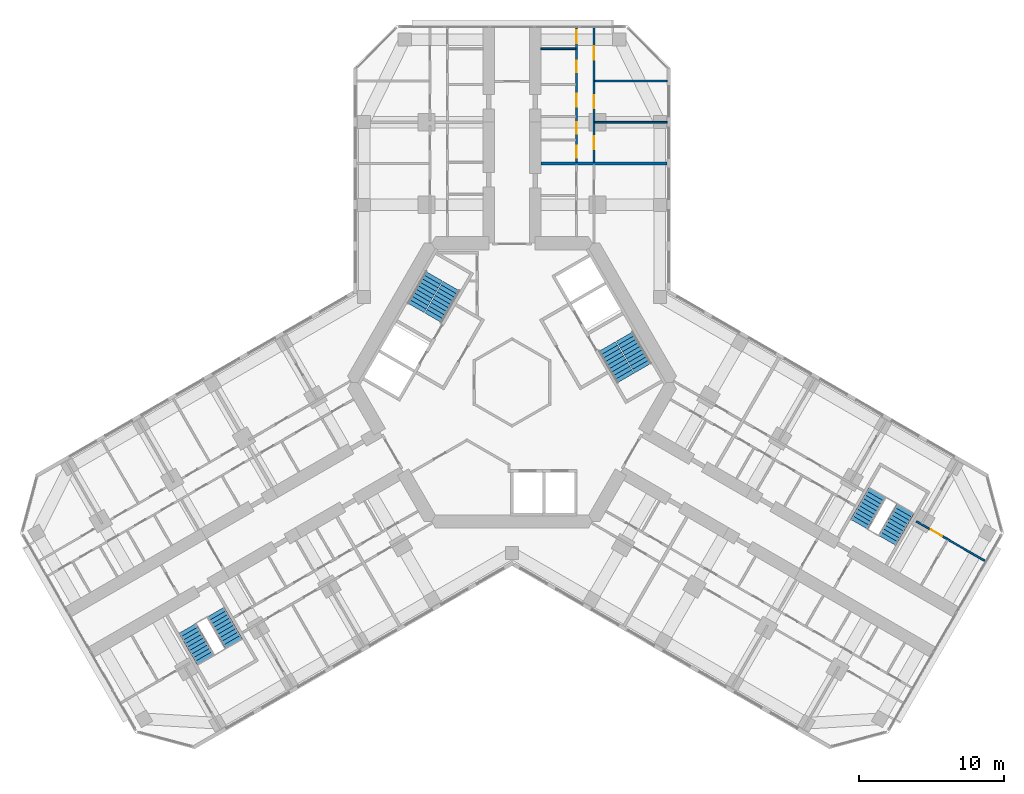
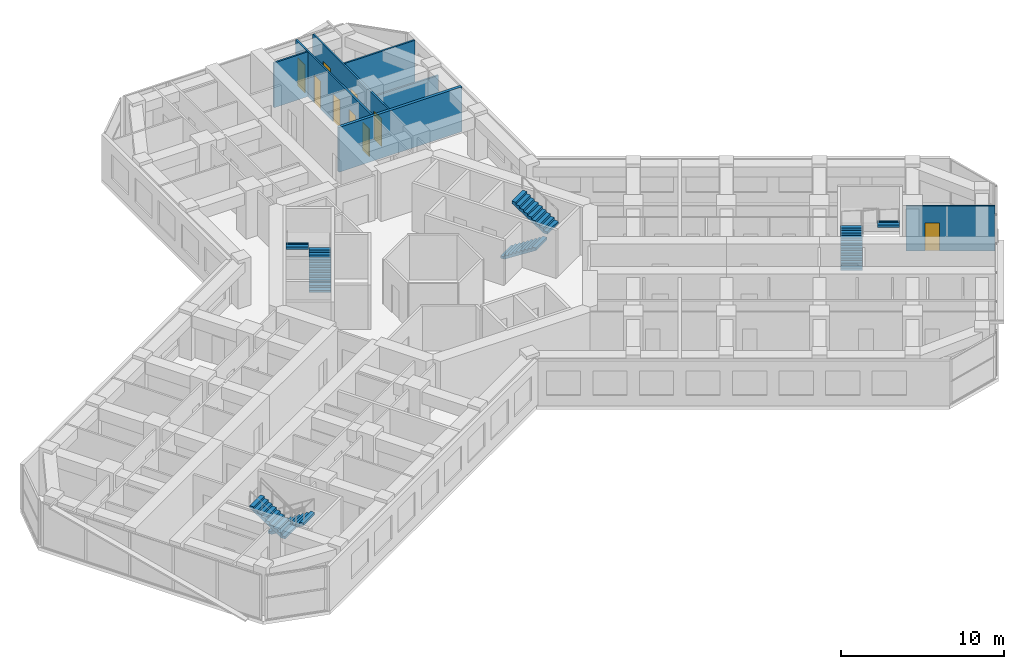
# One storey, part 18 of 19: 9 doors, 8 stair flights, 7 walls, 9 openings, 4 elements without a shape of their own.
"""IFC4 building model written with IfcOpenShell, lengths in metres."""

from ifc_helpers import new_model, si_unit, direction, frame, frame_2d, origin, place, context, subcontext, project, spatial, polyline, rectangle, outline, extrude, material, layer, layer_set, type_object, element, fill, aggregate, save


model = new_model("IFC4")

# Units and contexts
model_context = context("Model", 3, precision=1e-05, world=origin(), true_north=direction((0.0, 1.0)))
body_context = subcontext(model_context, "Body", "Model", "MODEL_VIEW")
ifc_project = project(units=[si_unit("LENGTHUNIT", "METRE"), si_unit("AREAUNIT", "SQUARE_METRE"), si_unit("VOLUMEUNIT", "CUBIC_METRE"), si_unit("PLANEANGLEUNIT", "RADIAN"), si_unit("MASSUNIT", "GRAM", prefix="KILO")], contexts=[model_context])

# Site, building, storey
site_placement = place(None, origin())
site = spatial("IfcSite", under=ifc_project, at=site_placement, CompositionType="ELEMENT")
building_placement = place(site_placement, origin())
building = spatial("IfcBuilding", under=site, at=building_placement, Name="Kosmar Iwan School Tower", CompositionType="ELEMENT")
storey_placement = place(building_placement, frame((0.0, 0.0, 141.800048828125)))
storey = spatial("IfcBuildingStorey", under=building, at=storey_placement, Name="L35", CompositionType="ELEMENT", Elevation=141.800048828125)

# Wall, openings, doors
ifc_material_1 = material(Name="Gypsum board on steel studs", Category="steel")
ifc_layer_1 = layer(ifc_material_1, 0.1201171875)
ifc_layer_set_1 = layer_set([ifc_layer_1], Name="Dwelling partition 120")
wall_type_1 = type_object("IfcWallType", Name="Dwelling partition 120", PredefinedType="PARTITIONING", material=ifc_layer_set_1)
wall_1_placement = place(storey_placement, frame((4.449951171875, 15.199951171875, 0.0), z_axis=(0.0, 0.0, 1.0), x_axis=(0.0, 1.0, 0.0)))
wall_1 = element("IfcWall", 1, at=wall_1_placement, inside=storey, type_object=wall_type_1, Name="Partition L35-AR2-W1", PredefinedType="PARTITIONING", context=body_context, shape_type="SweptSolid", body=[
    extrude(rectangle(XDim=9.2451171875, YDim=0.1201171875, at=frame_2d((4.62255859375, 0.0))), origin(), (0.0, 0.0, 1.0), 3.349853515625),
])
opening_1_placement = place(wall_1_placement, frame((0.3125, 0.0, 0.0)))
opening_1 = element("IfcOpeningElement", 2, at=opening_1_placement, cuts=wall_1, Name="Opening D3", PredefinedType="OPENING", context=body_context, shape_type="SweptSolid", body=[
    extrude(rectangle(XDim=0.800048828125, YDim=2.10009765625, at=frame_2d((0.39990234375, 1.050048828125))), frame((0.0, 0.072021484375, 0.0), z_axis=(0.0, -1.0, 0.0), x_axis=(1.0, 0.0, 0.0)), (0.0, 0.0, 1.0), 0.14404296875),
])
opening_2_placement = place(wall_1_placement, frame((1.9375, 0.0, 0.0)))
opening_2 = element("IfcOpeningElement", 3, at=opening_2_placement, cuts=wall_1, Name="Opening D3", PredefinedType="OPENING", context=body_context, shape_type="SweptSolid", body=[
    extrude(rectangle(XDim=0.800048828125, YDim=2.10009765625, at=frame_2d((0.39990234375, 1.050048828125))), frame((0.0, 0.072021484375, 0.0), z_axis=(0.0, -1.0, 0.0), x_axis=(1.0, 0.0, 0.0)), (0.0, 0.0, 1.0), 0.14404296875),
])
opening_3_placement = place(wall_1_placement, frame((3.800048828125, 0.0, 0.0)))
opening_3 = element("IfcOpeningElement", 4, at=opening_3_placement, cuts=wall_1, Name="Opening D2", PredefinedType="OPENING", context=body_context, shape_type="SweptSolid", body=[
    extrude(rectangle(XDim=0.89990234375, YDim=2.10009765625, at=frame_2d((0.449951171875, 1.050048828125))), frame((0.0, 0.072021484375, 0.0), z_axis=(0.0, -1.0, 0.0), x_axis=(1.0, 0.0, 0.0)), (0.0, 0.0, 1.0), 0.14404296875),
])
opening_4_placement = place(wall_1_placement, frame((6.179931640625, 0.0, 0.0)))
opening_4 = element("IfcOpeningElement", 5, at=opening_4_placement, cuts=wall_1, Name="Opening D3", PredefinedType="OPENING", context=body_context, shape_type="SweptSolid", body=[
    extrude(rectangle(XDim=0.800048828125, YDim=2.10009765625, at=frame_2d((0.39990234375, 1.050048828125))), frame((0.0, 0.072021484375, 0.0), z_axis=(0.0, -1.0, 0.0), x_axis=(1.0, 0.0, 0.0)), (0.0, 0.0, 1.0), 0.14404296875),
])
opening_5_placement = place(wall_1_placement, frame((8.179931640625, 0.0, 0.0)))
opening_5 = element("IfcOpeningElement", 6, at=opening_5_placement, cuts=wall_1, Name="Opening D2", PredefinedType="OPENING", context=body_context, shape_type="SweptSolid", body=[
    extrude(rectangle(XDim=0.89990234375, YDim=2.10009765625, at=frame_2d((0.449951171875, 1.050048828125))), frame((0.0, 0.072021484375, 0.0), z_axis=(0.0, -1.0, 0.0), x_axis=(1.0, 0.0, 0.0)), (0.0, 0.0, 1.0), 0.14404296875),
])
ifc_material_2 = material(Name="Timber door in timber frame", Category="wood")
door_type_1 = type_object("IfcDoorType", Name="Internal door 900x2100", OperationType="SINGLE_SWING_LEFT", PredefinedType="DOOR", material=ifc_material_2)
door_1_placement = place(opening_3_placement, origin())
door_1 = element("IfcDoor", 7, at=door_1_placement, inside=storey, type_object=door_type_1, Name="Entrance hall door L35-AR2-S3", OperationType="SINGLE_SWING_RIGHT", OverallHeight=2.10009765625, OverallWidth=0.89990234375, PredefinedType="DOOR", context=body_context, shape_type="SweptSolid", body=[
    extrude(rectangle(XDim=0.89990234375, YDim=2.10009765625, at=frame_2d((0.449951171875, 1.050048828125))), frame((0.0, 0.02490234375, 0.0), z_axis=(0.0, -1.0, 0.0), x_axis=(1.0, 0.0, 0.0)), (0.0, 0.0, 1.0), 0.050048828125),
])
fill(opening_3, door_1)
door_2_placement = place(opening_5_placement, origin())
door_2 = element("IfcDoor", 8, at=door_2_placement, inside=storey, type_object=door_type_1, Name="Pantry door L35-AR2-S5", OperationType="SINGLE_SWING_RIGHT", OverallHeight=2.10009765625, OverallWidth=0.89990234375, PredefinedType="DOOR", context=body_context, shape_type="SweptSolid", body=[
    extrude(rectangle(XDim=0.89990234375, YDim=2.10009765625, at=frame_2d((0.449951171875, 1.050048828125))), frame((0.0, 0.02490234375, 0.0), z_axis=(0.0, -1.0, 0.0), x_axis=(1.0, 0.0, 0.0)), (0.0, 0.0, 1.0), 0.050048828125),
])
fill(opening_5, door_2)
ifc_material_3 = material(Name="Timber door in timber frame", Category="wood")
door_type_2 = type_object("IfcDoorType", Name="Sanitary room door 800x2100", OperationType="SINGLE_SWING_LEFT", PredefinedType="DOOR", material=ifc_material_3)
door_3_placement = place(opening_1_placement, origin())
door_3 = element("IfcDoor", 9, at=door_3_placement, inside=storey, type_object=door_type_2, Name="WC door L35-AR2-S1", OperationType="SINGLE_SWING_RIGHT", OverallHeight=2.10009765625, OverallWidth=0.800048828125, PredefinedType="DOOR", context=body_context, shape_type="SweptSolid", body=[
    extrude(rectangle(XDim=0.800048828125, YDim=2.10009765625, at=frame_2d((0.39990234375, 1.050048828125))), frame((0.0, 0.02490234375, 0.0), z_axis=(0.0, -1.0, 0.0), x_axis=(1.0, 0.0, 0.0)), (0.0, 0.0, 1.0), 0.050048828125),
])
fill(opening_1, door_3)
door_4_placement = place(opening_2_placement, origin())
door_4 = element("IfcDoor", 10, at=door_4_placement, inside=storey, type_object=door_type_2, Name="Shower room door L35-AR2-S2", OperationType="SINGLE_SWING_LEFT", OverallHeight=2.10009765625, OverallWidth=0.800048828125, PredefinedType="DOOR", context=body_context, shape_type="SweptSolid", body=[
    extrude(rectangle(XDim=0.800048828125, YDim=2.10009765625, at=frame_2d((0.39990234375, 1.050048828125))), frame((0.0, 0.02490234375, 0.0), z_axis=(0.0, -1.0, 0.0), x_axis=(1.0, 0.0, 0.0)), (0.0, 0.0, 1.0), 0.050048828125),
])
fill(opening_2, door_4)
door_5_placement = place(opening_4_placement, origin())
door_5 = element("IfcDoor", 11, at=door_5_placement, inside=storey, type_object=door_type_2, Name="Bathroom door L35-AR2-S4", OperationType="SINGLE_SWING_LEFT", OverallHeight=2.10009765625, OverallWidth=0.800048828125, PredefinedType="DOOR", context=body_context, shape_type="SweptSolid", body=[
    extrude(rectangle(XDim=0.800048828125, YDim=2.10009765625, at=frame_2d((0.39990234375, 1.050048828125))), frame((0.0, 0.02490234375, 0.0), z_axis=(0.0, -1.0, 0.0), x_axis=(1.0, 0.0, 0.0)), (0.0, 0.0, 1.0), 0.050048828125),
])
fill(opening_4, door_5)

wall_2_placement = place(storey_placement, frame((5.64990234375, 15.199951171875, 0.0), z_axis=(0.0, 0.0, 1.0), x_axis=(0.0, 1.0, 0.0)))
wall_2 = element("IfcWall", 12, at=wall_2_placement, inside=storey, type_object=wall_type_1, Name="Partition L35-AR2-W2", PredefinedType="PARTITIONING", context=body_context, shape_type="SweptSolid", body=[
    extrude(rectangle(XDim=9.2451171875, YDim=0.1201171875, at=frame_2d((4.62255859375, 0.0))), origin(), (0.0, 0.0, 1.0), 3.349853515625),
])
opening_6_placement = place(wall_2_placement, frame((0.875, 0.0, 0.0)))
opening_6 = element("IfcOpeningElement", 13, at=opening_6_placement, cuts=wall_2, Name="Opening D2", PredefinedType="OPENING", context=body_context, shape_type="SweptSolid", body=[
    extrude(rectangle(XDim=0.89990234375, YDim=2.10009765625, at=frame_2d((0.449951171875, 1.050048828125))), frame((0.0, 0.072021484375, 0.0), z_axis=(0.0, -1.0, 0.0), x_axis=(1.0, 0.0, 0.0)), (0.0, 0.0, 1.0), 0.14404296875),
])
opening_7_placement = place(wall_2_placement, frame((3.72509765625, 0.0, 0.0)))
opening_7 = element("IfcOpeningElement", 14, at=opening_7_placement, cuts=wall_2, Name="Opening D2", PredefinedType="OPENING", context=body_context, shape_type="SweptSolid", body=[
    extrude(rectangle(XDim=0.89990234375, YDim=2.10009765625, at=frame_2d((0.449951171875, 1.050048828125))), frame((0.0, 0.072021484375, 0.0), z_axis=(0.0, -1.0, 0.0), x_axis=(1.0, 0.0, 0.0)), (0.0, 0.0, 1.0), 0.14404296875),
])
opening_8_placement = place(wall_2_placement, frame((7.074951171875, 0.0, 0.0)))
opening_8 = element("IfcOpeningElement", 15, at=opening_8_placement, cuts=wall_2, Name="Opening D2", PredefinedType="OPENING", context=body_context, shape_type="SweptSolid", body=[
    extrude(rectangle(XDim=0.89990234375, YDim=2.10009765625, at=frame_2d((0.449951171875, 1.050048828125))), frame((0.0, 0.072021484375, 0.0), z_axis=(0.0, -1.0, 0.0), x_axis=(1.0, 0.0, 0.0)), (0.0, 0.0, 1.0), 0.14404296875),
])
door_6_placement = place(opening_6_placement, origin())
door_6 = element("IfcDoor", 16, at=door_6_placement, inside=storey, type_object=door_type_1, Name="Family room and kitchen door L35-AR2-F1", OperationType="SINGLE_SWING_LEFT", OverallHeight=2.10009765625, OverallWidth=0.89990234375, PredefinedType="DOOR", context=body_context, shape_type="SweptSolid", body=[
    extrude(rectangle(XDim=0.89990234375, YDim=2.10009765625, at=frame_2d((0.449951171875, 1.050048828125))), frame((0.0, 0.02490234375, 0.0), z_axis=(0.0, -1.0, 0.0), x_axis=(1.0, 0.0, 0.0)), (0.0, 0.0, 1.0), 0.050048828125),
])
fill(opening_6, door_6)
door_7_placement = place(opening_7_placement, origin())
door_7 = element("IfcDoor", 17, at=door_7_placement, inside=storey, type_object=door_type_1, Name="Bedroom 1 door L35-AR2-F2", OperationType="SINGLE_SWING_LEFT", OverallHeight=2.10009765625, OverallWidth=0.89990234375, PredefinedType="DOOR", context=body_context, shape_type="SweptSolid", body=[
    extrude(rectangle(XDim=0.89990234375, YDim=2.10009765625, at=frame_2d((0.449951171875, 1.050048828125))), frame((0.0, 0.02490234375, 0.0), z_axis=(0.0, -1.0, 0.0), x_axis=(1.0, 0.0, 0.0)), (0.0, 0.0, 1.0), 0.050048828125),
])
fill(opening_7, door_7)
door_8_placement = place(opening_8_placement, origin())
door_8 = element("IfcDoor", 18, at=door_8_placement, inside=storey, type_object=door_type_1, Name="Bedroom 2 door L35-AR2-F3", OperationType="SINGLE_SWING_RIGHT", OverallHeight=2.10009765625, OverallWidth=0.89990234375, PredefinedType="DOOR", context=body_context, shape_type="SweptSolid", body=[
    extrude(rectangle(XDim=0.89990234375, YDim=2.10009765625, at=frame_2d((0.449951171875, 1.050048828125))), frame((0.0, 0.02490234375, 0.0), z_axis=(0.0, -1.0, 0.0), x_axis=(1.0, 0.0, 0.0)), (0.0, 0.0, 1.0), 0.050048828125),
])
fill(opening_8, door_8)

# Walls
wall_3_placement = place(storey_placement, frame((5.7099609375, 17.949951171875, 0.0), z_axis=(0.0, 0.0, 1.0), x_axis=(1.0, 0.0, 0.0)))
element("IfcWall", 19, at=wall_3_placement, inside=storey, type_object=wall_type_1, Name="Partition L35-AR2-X1", PredefinedType="PARTITIONING", context=body_context, shape_type="SweptSolid", body=[
    extrude(rectangle(XDim=4.989990234375, YDim=0.1201171875, at=frame_2d((2.4951171875, 0.0))), origin(), (0.0, 0.0, 1.0), 2.449951171875),
])
wall_4_placement = place(storey_placement, frame((5.7099609375, 20.800048828125, 0.0), z_axis=(0.0, 0.0, 1.0), x_axis=(1.0, 0.0, 0.0)))
element("IfcWall", 20, at=wall_4_placement, inside=storey, type_object=wall_type_1, Name="Partition L35-AR2-X2", PredefinedType="PARTITIONING", context=body_context, shape_type="SweptSolid", body=[
    extrude(rectangle(XDim=4.989990234375, YDim=0.1201171875, at=frame_2d((2.4951171875, 0.0))), origin(), (0.0, 0.0, 1.0), 3.349853515625),
])
wall_5_placement = place(storey_placement, frame((2.0, 23.010009765625, 0.0), z_axis=(0.0, 0.0, 1.0), x_axis=(1.0, 0.0, 0.0)))
element("IfcWall", 21, at=wall_5_placement, inside=storey, type_object=wall_type_1, Name="Partition L35-AR2-Y4", PredefinedType="PARTITIONING", context=body_context, shape_type="SweptSolid", body=[
    extrude(rectangle(XDim=2.389892578125, YDim=0.1201171875, at=frame_2d((1.19482421875, 0.0))), origin(), (0.0, 0.0, 1.0), 3.349853515625),
])

# Wall, opening, door
wall_6_placement = place(storey_placement, frame((27.896484375, -9.58203125, 0.0), z_axis=(0.0, 0.0, 1.0), x_axis=(0.866035508231, -0.499982498177, 0.0)))
wall_6 = element("IfcWall", 22, at=wall_6_placement, inside=storey, type_object=wall_type_1, Name="Partition L35-CL2-TW", PredefinedType="PARTITIONING", context=body_context, shape_type="SweptSolid", body=[
    extrude(rectangle(XDim=5.445068359375, YDim=0.1201171875, at=frame_2d((2.72265625, 0.0))), origin(), (0.0, 0.0, 1.0), 3.349853515625),
])
opening_9_placement = place(wall_6_placement, frame((1.14990234375, 0.0, 0.0)))
opening_9 = element("IfcOpeningElement", 23, at=opening_9_placement, cuts=wall_6, Name="Opening D2", PredefinedType="OPENING", context=body_context, shape_type="SweptSolid", body=[
    extrude(rectangle(XDim=0.89990234375, YDim=2.10009765625, at=frame_2d((0.449951171875, 1.050048828125))), frame((0.0, 0.072021484375, 0.0), z_axis=(0.0, -1.0, 0.0), x_axis=(1.0, 0.0, 0.0)), (0.0, 0.0, 1.0), 0.14404296875),
])
door_9_placement = place(opening_9_placement, origin())
door_9 = element("IfcDoor", 24, at=door_9_placement, inside=storey, type_object=door_type_1, Name="Dressing room door L35-CL2-T3", OperationType="SINGLE_SWING_LEFT", OverallHeight=2.10009765625, OverallWidth=0.89990234375, PredefinedType="DOOR", context=body_context, shape_type="SweptSolid", body=[
    extrude(rectangle(XDim=0.89990234375, YDim=2.10009765625, at=frame_2d((0.449951171875, 1.050048828125))), frame((0.0, 0.02490234375, 0.0), z_axis=(0.0, -1.0, 0.0), x_axis=(1.0, 0.0, 0.0)), (0.0, 0.0, 1.0), 0.050048828125),
])
fill(opening_9, door_9)

# Wall
ifc_material_4 = material(Name="Concrete block masonry", Category="masonry")
ifc_layer_2 = layer(ifc_material_4, 0.199951171875)
ifc_layer_set_2 = layer_set([ifc_layer_2], Name="Party wall 200")
wall_type_2 = type_object("IfcWallType", Name="Party wall 200", PredefinedType="PARTITIONING", material=ifc_layer_set_2)
wall_7_placement = place(storey_placement, frame((2.0, 15.10009765625, 0.0), z_axis=(0.0, 0.0, 1.0), x_axis=(1.0, 0.0, 0.0)))
element("IfcWall", 25, at=wall_7_placement, inside=storey, type_object=wall_type_2, Name="Partition L35-AR2-PW", PredefinedType="PARTITIONING", context=body_context, shape_type="SweptSolid", body=[
    extrude(rectangle(XDim=8.699951171875, YDim=0.199951171875, at=frame_2d((4.35009765625, 0.0))), origin(), (0.0, 0.0, 1.0), 3.349853515625),
])

# Stair, stair flights
ifc_material_5 = material(Name="Concrete C35/45", Category="concrete")
stair_type_1 = type_object("IfcStairType", Name="Escape stair 3600", PredefinedType="HALF_TURN_STAIR", material=ifc_material_5)
stair_1_placement = place(storey_placement, origin())
stair_1 = element("IfcStair", 26, at=stair_1_placement, inside=storey, type_object=stair_type_1, Name="Stair WS2 L35", PredefinedType="HALF_TURN_STAIR")
ifc_material_6 = material(Name="Concrete C35/45", Category="concrete")
stair_flight_type_1 = type_object("IfcStairFlightType", Name="Escape stair flight 1350", PredefinedType="STRAIGHT", material=ifc_material_6)
stair_flight_1_placement = place(storey_placement, frame((-20.44189453125, -15.843505859375, 0.0), z_axis=(0.0, 0.0, 1.0), x_axis=(0.5, -0.866025403784, 0.0)))
stair_flight_1 = element("IfcStairFlight", 27, at=stair_flight_1_placement, type_object=stair_flight_type_1, Name="WS2 flight 1", NumberOfRisers=10, NumberOfTreads=9, PredefinedType="STRAIGHT", RiserHeight=0.18, TreadLength=0.28, context=body_context, shape_type="SweptSolid", body=[
    extrude(outline(polyline([(0.0, 0.0), (0.0, 0.179931640625), (0.280029296875, 0.179931640625), (0.280029296875, 0.360107421875), (0.56005859375, 0.360107421875), (0.56005859375, 0.5400390625), (0.840087890625, 0.5400390625), (0.840087890625, 0.719970703125), (1.1201171875, 0.719970703125), (1.1201171875, 0.89990234375), (1.39990234375, 0.89990234375), (1.39990234375, 1.080078125), (1.679931640625, 1.080078125), (1.679931640625, 1.260009765625), (1.9599609375, 1.260009765625), (1.9599609375, 1.43994140625), (2.239990234375, 1.43994140625), (2.239990234375, 1.6201171875), (2.52001953125, 1.6201171875), (2.52001953125, 1.800048828125), (2.52001953125, 1.44189453125), (0.277099609375, 0.0), (0.0, 0.0)])), frame((0.0, 0.675048828125, 0.0), z_axis=(0.0, -1.0, 0.0), x_axis=(1.0, 0.0, 0.0)), (0.0, 0.0, 1.0), 1.35009765625),
])
stair_flight_2_placement = place(storey_placement, frame((-21.13037109375, -19.15087890625, 1.800048828125), z_axis=(0.0, 0.0, 1.0), x_axis=(-0.5, 0.866025403784, 0.0)))
stair_flight_2 = element("IfcStairFlight", 28, at=stair_flight_2_placement, type_object=stair_flight_type_1, Name="WS2 flight 2", NumberOfRisers=10, NumberOfTreads=9, PredefinedType="STRAIGHT", RiserHeight=0.18, TreadLength=0.28, context=body_context, shape_type="SweptSolid", body=[
    extrude(outline(polyline([(0.0, 0.0), (0.0, 0.179931640625), (0.280029296875, 0.179931640625), (0.280029296875, 0.360107421875), (0.56005859375, 0.360107421875), (0.56005859375, 0.5400390625), (0.840087890625, 0.5400390625), (0.840087890625, 0.719970703125), (1.1201171875, 0.719970703125), (1.1201171875, 0.89990234375), (1.39990234375, 0.89990234375), (1.39990234375, 1.080078125), (1.679931640625, 1.080078125), (1.679931640625, 1.260009765625), (1.9599609375, 1.260009765625), (1.9599609375, 1.43994140625), (2.239990234375, 1.43994140625), (2.239990234375, 1.6201171875), (2.52001953125, 1.6201171875), (2.52001953125, 1.800048828125), (2.52001953125, 1.44189453125), (0.277099609375, 0.0), (0.0, 0.0)])), frame((0.0, 0.675048828125, 0.0), z_axis=(0.0, -1.0, 0.0), x_axis=(1.0, 0.0, 0.0)), (0.0, 0.0, 1.0), 1.35009765625),
])
aggregate(stair_1, [stair_flight_1, stair_flight_2])

stair_2_placement = place(storey_placement, origin())
stair_2 = element("IfcStair", 29, at=stair_2_placement, inside=storey, type_object=stair_type_1, Name="Stair WS3 L35", PredefinedType="HALF_TURN_STAIR")
stair_flight_3_placement = place(storey_placement, frame((23.94189453125, -9.781494140625, 0.0), z_axis=(0.0, 0.0, 1.0), x_axis=(0.5, 0.866025403784, 0.0)))
stair_flight_3 = element("IfcStairFlight", 30, at=stair_flight_3_placement, type_object=stair_flight_type_1, Name="WS3 flight 1", NumberOfRisers=10, NumberOfTreads=9, PredefinedType="STRAIGHT", RiserHeight=0.18, TreadLength=0.28, context=body_context, shape_type="SweptSolid", body=[
    extrude(outline(polyline([(0.0, 0.0), (0.0, 0.179931640625), (0.280029296875, 0.179931640625), (0.280029296875, 0.360107421875), (0.56005859375, 0.360107421875), (0.56005859375, 0.5400390625), (0.840087890625, 0.5400390625), (0.840087890625, 0.719970703125), (1.1201171875, 0.719970703125), (1.1201171875, 0.89990234375), (1.39990234375, 0.89990234375), (1.39990234375, 1.080078125), (1.679931640625, 1.080078125), (1.679931640625, 1.260009765625), (1.9599609375, 1.260009765625), (1.9599609375, 1.43994140625), (2.239990234375, 1.43994140625), (2.239990234375, 1.6201171875), (2.52001953125, 1.6201171875), (2.52001953125, 1.800048828125), (2.52001953125, 1.44189453125), (0.277099609375, 0.0), (0.0, 0.0)])), frame((0.0, 0.675048828125, 0.0), z_axis=(0.0, -1.0, 0.0), x_axis=(1.0, 0.0, 0.0)), (0.0, 0.0, 1.0), 1.35009765625),
])
stair_flight_4_placement = place(storey_placement, frame((27.150390625, -8.72412109375, 1.800048828125), z_axis=(0.0, 0.0, 1.0), x_axis=(-0.5, -0.866025403784, 0.0)))
stair_flight_4 = element("IfcStairFlight", 31, at=stair_flight_4_placement, type_object=stair_flight_type_1, Name="WS3 flight 2", NumberOfRisers=10, NumberOfTreads=9, PredefinedType="STRAIGHT", RiserHeight=0.18, TreadLength=0.28, context=body_context, shape_type="SweptSolid", body=[
    extrude(outline(polyline([(0.0, 0.0), (0.0, 0.179931640625), (0.280029296875, 0.179931640625), (0.280029296875, 0.360107421875), (0.56005859375, 0.360107421875), (0.56005859375, 0.5400390625), (0.840087890625, 0.5400390625), (0.840087890625, 0.719970703125), (1.1201171875, 0.719970703125), (1.1201171875, 0.89990234375), (1.39990234375, 0.89990234375), (1.39990234375, 1.080078125), (1.679931640625, 1.080078125), (1.679931640625, 1.260009765625), (1.9599609375, 1.260009765625), (1.9599609375, 1.43994140625), (2.239990234375, 1.43994140625), (2.239990234375, 1.6201171875), (2.52001953125, 1.6201171875), (2.52001953125, 1.800048828125), (2.52001953125, 1.44189453125), (0.277099609375, 0.0), (0.0, 0.0)])), frame((0.0, 0.675048828125, 0.0), z_axis=(0.0, -1.0, 0.0), x_axis=(1.0, 0.0, 0.0)), (0.0, 0.0, 1.0), 1.35009765625),
])
aggregate(stair_2, [stair_flight_3, stair_flight_4])

ifc_material_7 = material(Name="Concrete C35/45", Category="concrete")
stair_type_2 = type_object("IfcStairType", Name="Core stair 2750", PredefinedType="HALF_TURN_STAIR", material=ifc_material_7)
stair_3_placement = place(storey_placement, origin())
stair_3 = element("IfcStair", 32, at=stair_3_placement, inside=storey, type_object=stair_type_2, Name="Stair ST2 L35", PredefinedType="HALF_TURN_STAIR")
ifc_material_8 = material(Name="Concrete C35/45", Category="concrete")
stair_flight_type_2 = type_object("IfcStairFlightType", Name="Stair flight 1350", PredefinedType="STRAIGHT", material=ifc_material_8)
stair_flight_5_placement = place(storey_placement, frame((-5.42724609375, 4.44970703125, 0.0), z_axis=(0.0, 0.0, 1.0), x_axis=(0.5, 0.866025403784, 0.0)))
stair_flight_5 = element("IfcStairFlight", 33, at=stair_flight_5_placement, type_object=stair_flight_type_2, Name="ST2 flight 1", NumberOfRisers=10, NumberOfTreads=9, PredefinedType="STRAIGHT", RiserHeight=0.18, TreadLength=0.28, context=body_context, shape_type="SweptSolid", body=[
    extrude(outline(polyline([(0.0, 0.0), (0.0, 0.179931640625), (0.280029296875, 0.179931640625), (0.280029296875, 0.360107421875), (0.56005859375, 0.360107421875), (0.56005859375, 0.5400390625), (0.840087890625, 0.5400390625), (0.840087890625, 0.719970703125), (1.1201171875, 0.719970703125), (1.1201171875, 0.89990234375), (1.39990234375, 0.89990234375), (1.39990234375, 1.080078125), (1.679931640625, 1.080078125), (1.679931640625, 1.260009765625), (1.9599609375, 1.260009765625), (1.9599609375, 1.43994140625), (2.239990234375, 1.43994140625), (2.239990234375, 1.6201171875), (2.52001953125, 1.6201171875), (2.52001953125, 1.800048828125), (2.52001953125, 1.44189453125), (0.277099609375, 0.0), (0.0, 0.0)])), frame((0.0, 0.675048828125, 0.0), z_axis=(0.0, -1.0, 0.0), x_axis=(1.0, 0.0, 0.0)), (0.0, 0.0, 1.0), 1.35009765625),
])
stair_flight_6_placement = place(storey_placement, frame((-5.379638671875, 7.33203125, 1.800048828125), z_axis=(0.0, 0.0, 1.0), x_axis=(-0.5, -0.866025403784, 0.0)))
stair_flight_6 = element("IfcStairFlight", 34, at=stair_flight_6_placement, type_object=stair_flight_type_2, Name="ST2 flight 2", NumberOfRisers=10, NumberOfTreads=9, PredefinedType="STRAIGHT", RiserHeight=0.18, TreadLength=0.28, context=body_context, shape_type="SweptSolid", body=[
    extrude(outline(polyline([(0.0, 0.0), (0.0, 0.179931640625), (0.280029296875, 0.179931640625), (0.280029296875, 0.360107421875), (0.56005859375, 0.360107421875), (0.56005859375, 0.5400390625), (0.840087890625, 0.5400390625), (0.840087890625, 0.719970703125), (1.1201171875, 0.719970703125), (1.1201171875, 0.89990234375), (1.39990234375, 0.89990234375), (1.39990234375, 1.080078125), (1.679931640625, 1.080078125), (1.679931640625, 1.260009765625), (1.9599609375, 1.260009765625), (1.9599609375, 1.43994140625), (2.239990234375, 1.43994140625), (2.239990234375, 1.6201171875), (2.52001953125, 1.6201171875), (2.52001953125, 1.800048828125), (2.52001953125, 1.44189453125), (0.277099609375, 0.0), (0.0, 0.0)])), frame((0.0, 0.675048828125, 0.0), z_axis=(0.0, -1.0, 0.0), x_axis=(1.0, 0.0, 0.0)), (0.0, 0.0, 1.0), 1.35009765625),
])
aggregate(stair_3, [stair_flight_5, stair_flight_6])

stair_4_placement = place(storey_placement, origin())
stair_4 = element("IfcStair", 35, at=stair_4_placement, inside=storey, type_object=stair_type_2, Name="Stair ST1 L35", PredefinedType="HALF_TURN_STAIR")
stair_flight_7_placement = place(storey_placement, frame((6.567138671875, 2.475341796875, 0.0), z_axis=(0.0, 0.0, 1.0), x_axis=(0.5, -0.866025403784, 0.0)))
stair_flight_7 = element("IfcStairFlight", 36, at=stair_flight_7_placement, type_object=stair_flight_type_2, Name="ST1 flight 1", NumberOfRisers=10, NumberOfTreads=9, PredefinedType="STRAIGHT", RiserHeight=0.18, TreadLength=0.28, context=body_context, shape_type="SweptSolid", body=[
    extrude(outline(polyline([(0.0, 0.0), (0.0, 0.179931640625), (0.280029296875, 0.179931640625), (0.280029296875, 0.360107421875), (0.56005859375, 0.360107421875), (0.56005859375, 0.5400390625), (0.840087890625, 0.5400390625), (0.840087890625, 0.719970703125), (1.1201171875, 0.719970703125), (1.1201171875, 0.89990234375), (1.39990234375, 0.89990234375), (1.39990234375, 1.080078125), (1.679931640625, 1.080078125), (1.679931640625, 1.260009765625), (1.9599609375, 1.260009765625), (1.9599609375, 1.43994140625), (2.239990234375, 1.43994140625), (2.239990234375, 1.6201171875), (2.52001953125, 1.6201171875), (2.52001953125, 1.800048828125), (2.52001953125, 1.44189453125), (0.277099609375, 0.0), (0.0, 0.0)])), frame((0.0, 0.675048828125, 0.0), z_axis=(0.0, -1.0, 0.0), x_axis=(1.0, 0.0, 0.0)), (0.0, 0.0, 1.0), 1.35009765625),
])
stair_flight_8_placement = place(storey_placement, frame((9.03955078125, 0.992919921875, 1.800048828125), z_axis=(0.0, 0.0, 1.0), x_axis=(-0.5, 0.866025403784, 0.0)))
stair_flight_8 = element("IfcStairFlight", 37, at=stair_flight_8_placement, type_object=stair_flight_type_2, Name="ST1 flight 2", NumberOfRisers=10, NumberOfTreads=9, PredefinedType="STRAIGHT", RiserHeight=0.18, TreadLength=0.28, context=body_context, shape_type="SweptSolid", body=[
    extrude(outline(polyline([(0.0, 0.0), (0.0, 0.179931640625), (0.280029296875, 0.179931640625), (0.280029296875, 0.360107421875), (0.56005859375, 0.360107421875), (0.56005859375, 0.5400390625), (0.840087890625, 0.5400390625), (0.840087890625, 0.719970703125), (1.1201171875, 0.719970703125), (1.1201171875, 0.89990234375), (1.39990234375, 0.89990234375), (1.39990234375, 1.080078125), (1.679931640625, 1.080078125), (1.679931640625, 1.260009765625), (1.9599609375, 1.260009765625), (1.9599609375, 1.43994140625), (2.239990234375, 1.43994140625), (2.239990234375, 1.6201171875), (2.52001953125, 1.6201171875), (2.52001953125, 1.800048828125), (2.52001953125, 1.44189453125), (0.277099609375, 0.0), (0.0, 0.0)])), frame((0.0, 0.675048828125, 0.0), z_axis=(0.0, -1.0, 0.0), x_axis=(1.0, 0.0, 0.0)), (0.0, 0.0, 1.0), 1.35009765625),
])
aggregate(stair_4, [stair_flight_7, stair_flight_8])

save(model, "model.ifc")
